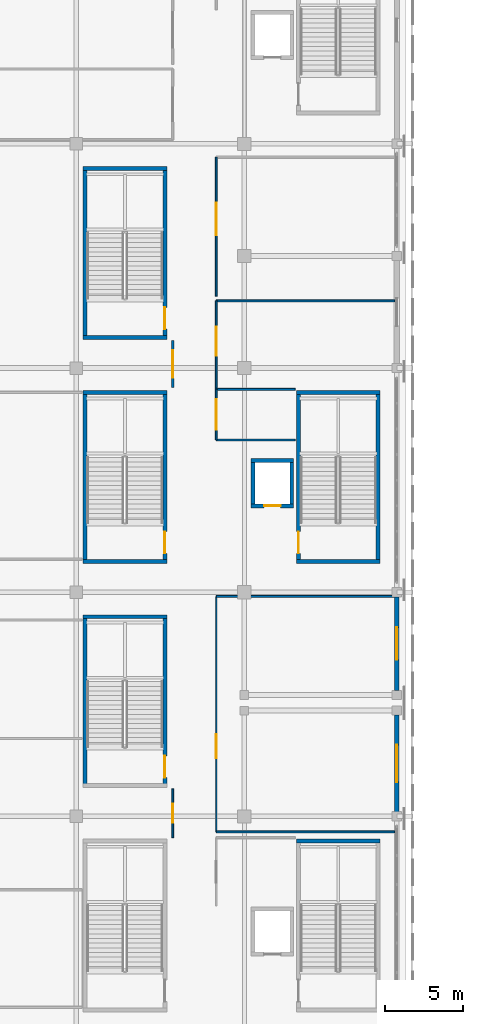
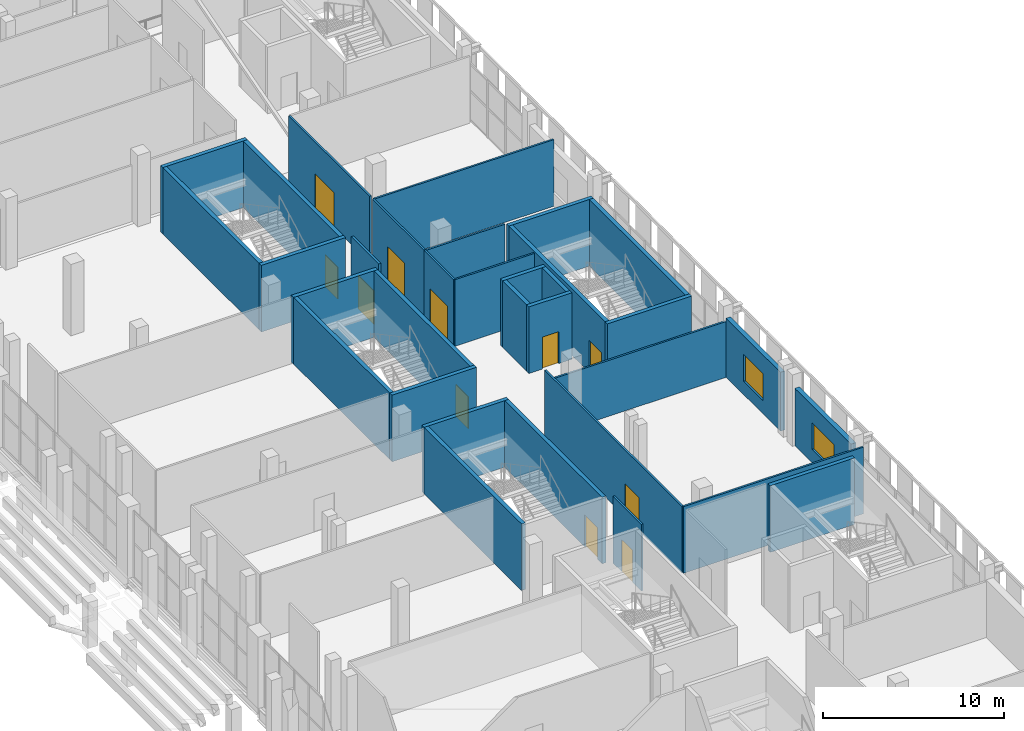
# One storey, part 100 of 142: 33 walls, 11 doors, 2 windows, 13 openings.
"""IFC4 building model written with IfcOpenShell, lengths in metres."""

from ifc_helpers import new_model, si_unit, direction, frame, frame_2d, origin, place, context, subcontext, project, spatial, rectangle, extrude, material, layer, layer_set, type_object, element, fill, save


model = new_model("IFC4")

# Units and contexts
model_context = context("Model", 3, precision=1e-05, world=origin(), true_north=direction((0.0, 1.0)))
body_context = subcontext(model_context, "Body", "Model", "MODEL_VIEW")
ifc_project = project(units=[si_unit("LENGTHUNIT", "METRE"), si_unit("AREAUNIT", "SQUARE_METRE"), si_unit("VOLUMEUNIT", "CUBIC_METRE"), si_unit("PLANEANGLEUNIT", "RADIAN"), si_unit("MASSUNIT", "GRAM", prefix="KILO")], contexts=[model_context])

# Site, building, storey
site_placement = place(None, origin())
site = spatial("IfcSite", under=ifc_project, at=site_placement, CompositionType="ELEMENT")
building_placement = place(site_placement, origin())
building = spatial("IfcBuilding", under=site, at=building_placement, Name="Koshinbarg Plaza Stadium", CompositionType="ELEMENT")
storey_placement = place(building_placement, frame((0.0, 0.0, 10.199951171875)))
storey = spatial("IfcBuildingStorey", under=building, at=storey_placement, Name="L02", CompositionType="ELEMENT", Elevation=10.199951171875)

# Walls
ifc_material_1 = material(Name="Concrete C40/50", Category="concrete")
ifc_layer_1 = layer(ifc_material_1, 0.25)
ifc_layer_set_1 = layer_set([ifc_layer_1], Name="Concrete C40/50")
wall_type_1 = type_object("IfcWallType", Name="WL-CORE-250", PredefinedType="SHEAR", material=ifc_layer_set_1)
for number, where, z_axis, x_axis, name in (
    (1, (217.320068359375, 67.125, 0.0), (0.0, 0.0, 1.0), (-1.0, 0.0, 0.0), "L02 core stair shear wall C08-far IWL-L02-0195"),
    (2, (211.949951171875, 85.074951171875, 0.0), (0.0, 0.0, 1.0), (1.0, 0.0, 0.0), "L02 core stair shear wall C09-near IWL-L02-0218"),
    (3, (217.320068359375, 95.925048828125, 0.0), (0.0, 0.0, 1.0), (-1.0, 0.0, 0.0), "L02 core stair shear wall C09-far IWL-L02-0219"),
):
    element("IfcWall", number, at=place(storey_placement, frame(where, z_axis=z_axis, x_axis=x_axis)), inside=storey, type_object=wall_type_1, Name=name, PredefinedType="SHEAR", context=body_context, shape_type="SweptSolid", body=[
        extrude(rectangle(XDim=5.3701171875, YDim=0.25, at=frame_2d((2.68505859375, 0.0))), origin(), (0.0, 0.0, 1.0), 4.47998046875),
    ])

# Wall, opening, door
wall_1_placement = place(storey_placement, frame((212.074951171875, 85.074951171875, 0.0), z_axis=(0.0, 0.0, 1.0), x_axis=(0.0, 1.0, 0.0)))
wall_1 = element("IfcWall", 4, at=wall_1_placement, inside=storey, type_object=wall_type_1, Name="L02 core stair shear wall C09-left IWL-L02-0220", PredefinedType="SHEAR", context=body_context, shape_type="SweptSolid", body=[
    extrude(rectangle(XDim=10.85009765625, YDim=0.25, at=frame_2d((5.425048828125, 0.0))), origin(), (0.0, 0.0, 1.0), 4.47998046875),
])
opening_1_placement = place(wall_1_placement, frame((0.52001953125, 0.0, 0.0)))
opening_1 = element("IfcOpeningElement", 5, at=opening_1_placement, cuts=wall_1, Name="Opening D-0117", PredefinedType="OPENING", context=body_context, shape_type="SweptSolid", body=[
    extrude(rectangle(XDim=1.39990234375, YDim=2.14990234375, at=frame_2d((0.699951171875, 1.074951171875))), frame((0.0, 0.135009765625, 0.0), z_axis=(0.0, -1.0, 0.0), x_axis=(1.0, 0.0, 0.0)), (0.0, 0.0, 1.0), 0.27001953125),
])
ifc_material_2 = material(Name="Painted galvanized steel fire door", Category="steel")
door_type_1 = type_object("IfcDoorType", Name="DR-STAIR-1400", OperationType="NOTDEFINED", PredefinedType="DOOR", material=ifc_material_2)
door_1_placement = place(opening_1_placement, frame((1.39990234375, 0.0, 0.0), z_axis=(0.0, 0.0, 1.0), x_axis=(-1.0, 0.0, 0.0)))
door_1 = element("IfcDoor", 6, at=door_1_placement, inside=storey, type_object=door_type_1, Name="L02 exit stair door C09", OperationType="SINGLE_SWING_RIGHT", OverallHeight=2.14990234375, OverallWidth=1.39990234375, PredefinedType="DOOR", context=body_context, shape_type="SweptSolid", body=[
    extrude(rectangle(XDim=1.39990234375, YDim=2.14990234375, at=frame_2d((0.699951171875, 1.074951171875))), frame((0.0, 0.02490234375, 0.0), z_axis=(0.0, -1.0, 0.0), x_axis=(1.0, 0.0, 0.0)), (0.0, 0.0, 1.0), 0.050048828125),
])
fill(opening_1, door_1)

# Walls
wall_2_placement = place(storey_placement, frame((217.195068359375, 85.074951171875, 0.0), z_axis=(0.0, 0.0, 1.0), x_axis=(0.0, 1.0, 0.0)))
element("IfcWall", 7, at=wall_2_placement, inside=storey, type_object=wall_type_1, Name="L02 core stair shear wall C09-right IWL-L02-0221", PredefinedType="SHEAR", context=body_context, shape_type="SweptSolid", body=[
    extrude(rectangle(XDim=10.85009765625, YDim=0.25, at=frame_2d((5.425048828125, 0.0))), origin(), (0.0, 0.0, 1.0), 4.47998046875),
])
wall_3_placement = place(storey_placement, frame((203.6201171875, 81.52490234375, 0.0), z_axis=(0.0, 0.0, 1.0), x_axis=(-1.0, 0.0, 0.0)))
element("IfcWall", 8, at=wall_3_placement, inside=storey, type_object=wall_type_1, Name="L02 vomitory stair shear wall VX10-far IWL-L02-0507", PredefinedType="SHEAR", context=body_context, shape_type="SweptSolid", body=[
    extrude(rectangle(XDim=5.3701171875, YDim=0.25, at=frame_2d((2.68505859375, 0.0))), origin(), (0.0, 0.0, 1.0), 4.47998046875),
])
wall_4_placement = place(storey_placement, frame((198.375, 70.675048828125, 0.0), z_axis=(0.0, 0.0, 1.0), x_axis=(0.0, 1.0, 0.0)))
element("IfcWall", 9, at=wall_4_placement, inside=storey, type_object=wall_type_1, Name="L02 vomitory stair shear wall VX10-left IWL-L02-0508", PredefinedType="SHEAR", context=body_context, shape_type="SweptSolid", body=[
    extrude(rectangle(XDim=10.849853515625, YDim=0.25, at=frame_2d((5.4248046875, 0.0))), origin(), (0.0, 0.0, 1.0), 4.47998046875),
])

# Wall, opening, door
wall_5_placement = place(storey_placement, frame((203.4951171875, 70.675048828125, 0.0), z_axis=(0.0, 0.0, 1.0), x_axis=(0.0, 1.0, 0.0)))
wall_5 = element("IfcWall", 10, at=wall_5_placement, inside=storey, type_object=wall_type_1, Name="L02 vomitory stair shear wall VX10-right IWL-L02-0509", PredefinedType="SHEAR", context=body_context, shape_type="SweptSolid", body=[
    extrude(rectangle(XDim=10.849853515625, YDim=0.25, at=frame_2d((5.4248046875, 0.0))), origin(), (0.0, 0.0, 1.0), 4.47998046875),
])
opening_2_placement = place(wall_5_placement, frame((0.52001953125, 0.0, 0.0)))
opening_2 = element("IfcOpeningElement", 11, at=opening_2_placement, cuts=wall_5, Name="Opening D-0189", PredefinedType="OPENING", context=body_context, shape_type="SweptSolid", body=[
    extrude(rectangle(XDim=1.39990234375, YDim=2.14990234375, at=frame_2d((0.699951171875, 1.074951171875))), frame((0.0, 0.135009765625, 0.0), z_axis=(0.0, -1.0, 0.0), x_axis=(1.0, 0.0, 0.0)), (0.0, 0.0, 1.0), 0.27001953125),
])
door_2_placement = place(opening_2_placement, origin())
door_2 = element("IfcDoor", 12, at=door_2_placement, inside=storey, type_object=door_type_1, Name="L02 vomitory exit stair door VX10", OperationType="SINGLE_SWING_LEFT", OverallHeight=2.14990234375, OverallWidth=1.39990234375, PredefinedType="DOOR", context=body_context, shape_type="SweptSolid", body=[
    extrude(rectangle(XDim=1.39990234375, YDim=2.14990234375, at=frame_2d((0.699951171875, 1.074951171875))), frame((0.0, 0.02490234375, 0.0), z_axis=(0.0, -1.0, 0.0), x_axis=(1.0, 0.0, 0.0)), (0.0, 0.0, 1.0), 0.050048828125),
])
fill(opening_2, door_2)

# Walls
for number, where, z_axis, x_axis, name in (
    (13, (198.25, 85.074951171875, 0.0), (0.0, 0.0, 1.0), (1.0, 0.0, 0.0), "L02 vomitory stair shear wall VX11-near IWL-L02-0522"),
    (14, (203.6201171875, 95.925048828125, 0.0), (0.0, 0.0, 1.0), (-1.0, 0.0, 0.0), "L02 vomitory stair shear wall VX11-far IWL-L02-0523"),
):
    element("IfcWall", number, at=place(storey_placement, frame(where, z_axis=z_axis, x_axis=x_axis)), inside=storey, type_object=wall_type_1, Name=name, PredefinedType="SHEAR", context=body_context, shape_type="SweptSolid", body=[
        extrude(rectangle(XDim=5.3701171875, YDim=0.25, at=frame_2d((2.68505859375, 0.0))), origin(), (0.0, 0.0, 1.0), 4.47998046875),
    ])
wall_6_placement = place(storey_placement, frame((198.375, 85.074951171875, 0.0), z_axis=(0.0, 0.0, 1.0), x_axis=(0.0, 1.0, 0.0)))
element("IfcWall", 15, at=wall_6_placement, inside=storey, type_object=wall_type_1, Name="L02 vomitory stair shear wall VX11-left IWL-L02-0524", PredefinedType="SHEAR", context=body_context, shape_type="SweptSolid", body=[
    extrude(rectangle(XDim=10.85009765625, YDim=0.25, at=frame_2d((5.425048828125, 0.0))), origin(), (0.0, 0.0, 1.0), 4.47998046875),
])

# Wall, opening, door
wall_7_placement = place(storey_placement, frame((203.4951171875, 85.074951171875, 0.0), z_axis=(0.0, 0.0, 1.0), x_axis=(0.0, 1.0, 0.0)))
wall_7 = element("IfcWall", 16, at=wall_7_placement, inside=storey, type_object=wall_type_1, Name="L02 vomitory stair shear wall VX11-right IWL-L02-0525", PredefinedType="SHEAR", context=body_context, shape_type="SweptSolid", body=[
    extrude(rectangle(XDim=10.85009765625, YDim=0.25, at=frame_2d((5.425048828125, 0.0))), origin(), (0.0, 0.0, 1.0), 4.47998046875),
])
opening_3_placement = place(wall_7_placement, frame((0.52001953125, 0.0, 0.0)))
opening_3 = element("IfcOpeningElement", 17, at=opening_3_placement, cuts=wall_7, Name="Opening D-0193", PredefinedType="OPENING", context=body_context, shape_type="SweptSolid", body=[
    extrude(rectangle(XDim=1.39990234375, YDim=2.14990234375, at=frame_2d((0.699951171875, 1.074951171875))), frame((0.0, 0.135009765625, 0.0), z_axis=(0.0, -1.0, 0.0), x_axis=(1.0, 0.0, 0.0)), (0.0, 0.0, 1.0), 0.27001953125),
])
door_3_placement = place(opening_3_placement, origin())
door_3 = element("IfcDoor", 18, at=door_3_placement, inside=storey, type_object=door_type_1, Name="L02 vomitory exit stair door VX11", OperationType="SINGLE_SWING_RIGHT", OverallHeight=2.14990234375, OverallWidth=1.39990234375, PredefinedType="DOOR", context=body_context, shape_type="SweptSolid", body=[
    extrude(rectangle(XDim=1.39990234375, YDim=2.14990234375, at=frame_2d((0.699951171875, 1.074951171875))), frame((0.0, 0.02490234375, 0.0), z_axis=(0.0, -1.0, 0.0), x_axis=(1.0, 0.0, 0.0)), (0.0, 0.0, 1.0), 0.050048828125),
])
fill(opening_3, door_3)

# Walls
for number, where, z_axis, x_axis, name in (
    (19, (198.25, 99.47509765625, 0.0), (0.0, 0.0, 1.0), (1.0, 0.0, 0.0), "L02 vomitory stair shear wall VX12-near IWL-L02-0538"),
    (20, (203.6201171875, 110.324951171875, 0.0), (0.0, 0.0, 1.0), (-1.0, 0.0, 0.0), "L02 vomitory stair shear wall VX12-far IWL-L02-0539"),
):
    element("IfcWall", number, at=place(storey_placement, frame(where, z_axis=z_axis, x_axis=x_axis)), inside=storey, type_object=wall_type_1, Name=name, PredefinedType="SHEAR", context=body_context, shape_type="SweptSolid", body=[
        extrude(rectangle(XDim=5.3701171875, YDim=0.25, at=frame_2d((2.68505859375, 0.0))), origin(), (0.0, 0.0, 1.0), 4.47998046875),
    ])
wall_8_placement = place(storey_placement, frame((198.375, 99.47509765625, 0.0), z_axis=(0.0, 0.0, 1.0), x_axis=(0.0, 1.0, 0.0)))
element("IfcWall", 21, at=wall_8_placement, inside=storey, type_object=wall_type_1, Name="L02 vomitory stair shear wall VX12-left IWL-L02-0540", PredefinedType="SHEAR", context=body_context, shape_type="SweptSolid", body=[
    extrude(rectangle(XDim=10.849853515625, YDim=0.25, at=frame_2d((5.4248046875, 0.0))), origin(), (0.0, 0.0, 1.0), 4.47998046875),
])

# Wall, opening, door
wall_9_placement = place(storey_placement, frame((203.4951171875, 99.47509765625, 0.0), z_axis=(0.0, 0.0, 1.0), x_axis=(0.0, 1.0, 0.0)))
wall_9 = element("IfcWall", 22, at=wall_9_placement, inside=storey, type_object=wall_type_1, Name="L02 vomitory stair shear wall VX12-right IWL-L02-0541", PredefinedType="SHEAR", context=body_context, shape_type="SweptSolid", body=[
    extrude(rectangle(XDim=10.849853515625, YDim=0.25, at=frame_2d((5.4248046875, 0.0))), origin(), (0.0, 0.0, 1.0), 4.47998046875),
])
opening_4_placement = place(wall_9_placement, frame((0.52001953125, 0.0, 0.0)))
opening_4 = element("IfcOpeningElement", 23, at=opening_4_placement, cuts=wall_9, Name="Opening D-0197", PredefinedType="OPENING", context=body_context, shape_type="SweptSolid", body=[
    extrude(rectangle(XDim=1.39990234375, YDim=2.14990234375, at=frame_2d((0.699951171875, 1.074951171875))), frame((0.0, 0.135009765625, 0.0), z_axis=(0.0, -1.0, 0.0), x_axis=(1.0, 0.0, 0.0)), (0.0, 0.0, 1.0), 0.27001953125),
])
door_4_placement = place(opening_4_placement, origin())
door_4 = element("IfcDoor", 24, at=door_4_placement, inside=storey, type_object=door_type_1, Name="L02 vomitory exit stair door VX12", OperationType="SINGLE_SWING_LEFT", OverallHeight=2.14990234375, OverallWidth=1.39990234375, PredefinedType="DOOR", context=body_context, shape_type="SweptSolid", body=[
    extrude(rectangle(XDim=1.39990234375, YDim=2.14990234375, at=frame_2d((0.699951171875, 1.074951171875))), frame((0.0, 0.02490234375, 0.0), z_axis=(0.0, -1.0, 0.0), x_axis=(1.0, 0.0, 0.0)), (0.0, 0.0, 1.0), 0.050048828125),
])
fill(opening_4, door_4)

wall_10_placement = place(storey_placement, frame((209.02490234375, 88.64990234375, 0.0), z_axis=(0.0, 0.0, 1.0), x_axis=(1.0, 0.0, 0.0)))
wall_10 = element("IfcWall", 25, at=wall_10_placement, inside=storey, type_object=wall_type_1, Name="L02 lift shaft shear wall LP05-S IWL-L02-0918", PredefinedType="SHEAR", context=body_context, shape_type="SweptSolid", body=[
    extrude(rectangle(XDim=2.75, YDim=0.25, at=frame_2d((1.375, 0.0))), origin(), (0.0, 0.0, 1.0), 4.47998046875),
])
opening_5_placement = place(wall_10_placement, frame((0.85009765625, 0.0, 0.0)))
opening_5 = element("IfcOpeningElement", 26, at=opening_5_placement, cuts=wall_10, Name="Opening D-0299", PredefinedType="OPENING", context=body_context, shape_type="SweptSolid", body=[
    extrude(rectangle(XDim=1.050048828125, YDim=2.14990234375, at=frame_2d((0.52490234375, 1.074951171875))), frame((0.0, 0.135009765625, 0.0), z_axis=(0.0, -1.0, 0.0), x_axis=(1.0, 0.0, 0.0)), (0.0, 0.0, 1.0), 0.27001953125),
])
ifc_material_3 = material(Name="Brushed stainless steel sliding lift landing door", Category="steel")
door_type_2 = type_object("IfcDoorType", Name="DR-LIFT-1050", OperationType="NOTDEFINED", PredefinedType="DOOR", material=ifc_material_3)
door_5_placement = place(opening_5_placement, origin())
door_5 = element("IfcDoor", 27, at=door_5_placement, inside=storey, type_object=door_type_2, Name="L02 lift landing door LP05", OperationType="SLIDING_TO_RIGHT", OverallHeight=2.14990234375, OverallWidth=1.050048828125, PredefinedType="DOOR", context=body_context, shape_type="SweptSolid", body=[
    extrude(rectangle(XDim=1.050048828125, YDim=2.14990234375, at=frame_2d((0.52490234375, 1.074951171875))), frame((0.0, 0.02490234375, 0.0), z_axis=(0.0, -1.0, 0.0), x_axis=(1.0, 0.0, 0.0)), (0.0, 0.0, 1.0), 0.050048828125),
])
fill(opening_5, door_5)

# Walls
wall_11_placement = place(storey_placement, frame((211.77490234375, 91.550048828125, 0.0), z_axis=(0.0, 0.0, 1.0), x_axis=(-1.0, 0.0, 0.0)))
element("IfcWall", 28, at=wall_11_placement, inside=storey, type_object=wall_type_1, Name="L02 lift shaft shear wall LP05-N IWL-L02-0919", PredefinedType="SHEAR", context=body_context, shape_type="SweptSolid", body=[
    extrude(rectangle(XDim=2.75, YDim=0.25, at=frame_2d((1.375, 0.0))), origin(), (0.0, 0.0, 1.0), 4.47998046875),
])
for number, where, z_axis, x_axis, name in (
    (29, (209.14990234375, 91.550048828125, 0.0), (0.0, 0.0, 1.0), (0.0, -1.0, 0.0), "L02 lift shaft shear wall LP05-W IWL-L02-0920"),
    (30, (211.64990234375, 88.64990234375, 0.0), (0.0, 0.0, 1.0), (0.0, 1.0, 0.0), "L02 lift shaft shear wall LP05-E IWL-L02-0921"),
):
    element("IfcWall", number, at=place(storey_placement, frame(where, z_axis=z_axis, x_axis=x_axis)), inside=storey, type_object=wall_type_1, Name=name, PredefinedType="SHEAR", context=body_context, shape_type="SweptSolid", body=[
        extrude(rectangle(XDim=2.900146484375, YDim=0.25, at=frame_2d((1.4501953125, 0.0))), origin(), (0.0, 0.0, 1.0), 4.47998046875),
    ])

# Wall, opening, window
ifc_material_4 = material(Name="Terracotta-ochre mineral plaster insulated wall", Category="masonry")
ifc_layer_2 = layer(ifc_material_4, 0.280029296875)
ifc_layer_set_2 = layer_set([ifc_layer_2], Name="Terracotta-ochre mineral plaster insulated wall")
wall_type_2 = type_object("IfcWallType", Name="WL-EXT-280", PredefinedType="SOLIDWALL", material=ifc_layer_set_2)
wall_12_placement = place(storey_placement, frame((218.39990234375, 82.804931640625, 0.0), z_axis=(0.0, 0.0, 1.0), x_axis=(0.0, -1.0, 0.0)))
wall_12 = element("IfcWall", 31, at=wall_12_placement, inside=storey, type_object=wall_type_2, Name="L02 exterior envelope wall EWL-L02-0128", PredefinedType="SOLIDWALL", context=body_context, shape_type="SweptSolid", body=[
    extrude(rectangle(XDim=6.010009765625, YDim=0.280029296875, at=frame_2d((3.0048828125, 0.0))), origin(), (0.0, 0.0, 1.0), 3.9599609375),
])
opening_6_placement = place(wall_12_placement, frame((1.955078125, 0.0, 0.89990234375)))
opening_6 = element("IfcOpeningElement", 32, at=opening_6_placement, cuts=wall_12, Name="Opening WN10", PredefinedType="OPENING", context=body_context, shape_type="SweptSolid", body=[
    extrude(rectangle(XDim=2.10009765625, YDim=1.800048828125, at=frame_2d((1.050048828125, 0.89990234375))), frame((0.0, 0.14990234375, 0.0), z_axis=(0.0, -1.0, 0.0), x_axis=(1.0, 0.0, 0.0)), (0.0, 0.0, 1.0), 0.300048828125),
])
ifc_material_5 = material(Name="Solar-control double glazing in thermally broken aluminium frame", Category="aluminium")
window_type_1 = type_object("IfcWindowType", Name="WN-FAC-10", PartitioningType="DOUBLE_PANEL_VERTICAL", PredefinedType="WINDOW", material=ifc_material_5)
window_1_placement = place(opening_6_placement, origin())
window_1 = element("IfcWindow", 33, at=window_1_placement, inside=storey, type_object=window_type_1, Name="L02 facade window 0065", OverallHeight=1.800048828125, OverallWidth=2.10009765625, PartitioningType="SINGLE_PANEL", PredefinedType="WINDOW", context=body_context, shape_type="SweptSolid", body=[
    extrude(rectangle(XDim=2.10009765625, YDim=1.800048828125, at=frame_2d((1.050048828125, 0.89990234375))), frame((0.0, 0.030029296875, 0.0), z_axis=(0.0, -1.0, 0.0), x_axis=(1.0, 0.0, 0.0)), (0.0, 0.0, 1.0), 0.06005859375),
])
fill(opening_6, window_1)

ifc_material_6 = material(Name="Off-white mineral plaster insulated wall", Category="masonry")
ifc_layer_3 = layer(ifc_material_6, 0.300048828125)
ifc_layer_set_3 = layer_set([ifc_layer_3], Name="Off-white mineral plaster insulated wall")
wall_type_3 = type_object("IfcWallType", Name="WL-EXT-300", PredefinedType="SOLIDWALL", material=ifc_layer_set_3)
wall_13_placement = place(storey_placement, frame((218.39990234375, 75.205078125, 0.0), z_axis=(0.0, 0.0, 1.0), x_axis=(0.0, -1.0, 0.0)))
wall_13 = element("IfcWall", 34, at=wall_13_placement, inside=storey, type_object=wall_type_3, Name="L02 exterior envelope wall EWL-L02-0129", PredefinedType="SOLIDWALL", context=body_context, shape_type="SweptSolid", body=[
    extrude(rectangle(XDim=6.2099609375, YDim=0.300048828125, at=frame_2d((3.10498046875, 0.0))), origin(), (0.0, 0.0, 1.0), 3.860107421875),
])
opening_7_placement = place(wall_13_placement, frame((1.905029296875, 0.0, 0.89990234375)))
opening_7 = element("IfcOpeningElement", 35, at=opening_7_placement, cuts=wall_13, Name="Opening WN11", PredefinedType="OPENING", context=body_context, shape_type="SweptSolid", body=[
    extrude(rectangle(XDim=2.39990234375, YDim=1.800048828125, at=frame_2d((1.199951171875, 0.89990234375))), frame((0.0, 0.159912109375, 0.0), z_axis=(0.0, -1.0, 0.0), x_axis=(1.0, 0.0, 0.0)), (0.0, 0.0, 1.0), 0.320068359375),
])
window_type_2 = type_object("IfcWindowType", Name="WN-FAC-11", PartitioningType="DOUBLE_PANEL_VERTICAL", PredefinedType="WINDOW", material=ifc_material_5)
window_2_placement = place(opening_7_placement, origin())
window_2 = element("IfcWindow", 36, at=window_2_placement, inside=storey, type_object=window_type_2, Name="L02 facade window 0066", OverallHeight=1.800048828125, OverallWidth=2.39990234375, PartitioningType="SINGLE_PANEL", PredefinedType="WINDOW", context=body_context, shape_type="SweptSolid", body=[
    extrude(rectangle(XDim=2.39990234375, YDim=1.800048828125, at=frame_2d((1.199951171875, 0.89990234375))), frame((0.0, 0.030029296875, 0.0), z_axis=(0.0, -1.0, 0.0), x_axis=(1.0, 0.0, 0.0)), (0.0, 0.0, 1.0), 0.06005859375),
])
fill(opening_7, window_2)

# Wall, opening, door
ifc_material_7 = material(Name="Gypsum board metal-stud acoustic partition")
ifc_layer_4 = layer(ifc_material_7, 0.1201171875)
ifc_layer_set_4 = layer_set([ifc_layer_4], Name="Gypsum board metal-stud acoustic partition")
wall_type_4 = type_object("IfcWallType", Name="WL-PART-120", PredefinedType="PARTITIONING", material=ifc_layer_set_4)
wall_14_placement = place(storey_placement, frame((204.0, 67.330078125, 0.0), z_axis=(0.0, 0.0, 1.0), x_axis=(0.0, 1.0, 0.0)))
wall_14 = element("IfcWall", 37, at=wall_14_placement, inside=storey, type_object=wall_type_4, Name="L02 interior partition L02-90-east IWL-L02-1706", PredefinedType="PARTITIONING", context=body_context, shape_type="SweptSolid", body=[
    extrude(rectangle(XDim=3.139892578125, YDim=0.1201171875, at=frame_2d((1.56982421875, 0.0))), origin(), (0.0, 0.0, 1.0), 4.47998046875),
])
opening_8_placement = place(wall_14_placement, frame((0.969970703125, 0.0, 0.0)))
opening_8 = element("IfcOpeningElement", 38, at=opening_8_placement, cuts=wall_14, Name="Opening D-0577", PredefinedType="OPENING", context=body_context, shape_type="SweptSolid", body=[
    extrude(rectangle(XDim=1.199951171875, YDim=2.14990234375, at=frame_2d((0.60009765625, 1.074951171875))), frame((0.0, 0.070068359375, 0.0), z_axis=(0.0, -1.0, 0.0), x_axis=(1.0, 0.0, 0.0)), (0.0, 0.0, 1.0), 0.14013671875),
])
ifc_material_8 = material(Name="Solid-core hardwood leaf in painted steel frame", Category="steel")
door_type_3 = type_object("IfcDoorType", Name="DR-INT-1200x2150", OperationType="NOTDEFINED", PredefinedType="DOOR", material=ifc_material_8)
door_6_placement = place(opening_8_placement, origin())
door_6 = element("IfcDoor", 39, at=door_6_placement, inside=storey, type_object=door_type_3, Name="L02 East Catering Kitchen door D-0577", OperationType="SINGLE_SWING_LEFT", OverallHeight=2.14990234375, OverallWidth=1.199951171875, PredefinedType="DOOR", context=body_context, shape_type="SweptSolid", body=[
    extrude(rectangle(XDim=1.199951171875, YDim=2.14990234375, at=frame_2d((0.60009765625, 1.074951171875))), frame((0.0, 0.02490234375, 0.0), z_axis=(0.0, -1.0, 0.0), x_axis=(1.0, 0.0, 0.0)), (0.0, 0.0, 1.0), 0.050048828125),
])
fill(opening_8, door_6)

# Walls
wall_15_placement = place(storey_placement, frame((206.800048828125, 67.70751953125, 0.0), z_axis=(0.0, 0.0, 1.0), x_axis=(1.0, 0.0, 0.0)))
element("IfcWall", 40, at=wall_15_placement, inside=storey, type_object=wall_type_4, Name="L02 interior partition L02-93-south IWL-L02-1713", PredefinedType="PARTITIONING", context=body_context, shape_type="SweptSolid", body=[
    extrude(rectangle(XDim=11.454833984375, YDim=0.1201171875, at=frame_2d((5.7275390625, 0.0))), origin(), (0.0, 0.0, 1.0), 4.47998046875),
])
wall_16_placement = place(storey_placement, frame((218.2548828125, 82.830078125, 0.0), z_axis=(0.0, 0.0, 1.0), x_axis=(-1.0, 0.0, 0.0)))
element("IfcWall", 41, at=wall_16_placement, inside=storey, type_object=wall_type_4, Name="L02 interior partition L02-93-north IWL-L02-1714", PredefinedType="PARTITIONING", context=body_context, shape_type="SweptSolid", body=[
    extrude(rectangle(XDim=11.454833984375, YDim=0.1201171875, at=frame_2d((5.7275390625, 0.0))), origin(), (0.0, 0.0, 1.0), 3.760009765625),
])

# Wall, opening, door
wall_17_placement = place(storey_placement, frame((206.800048828125, 82.830078125, 0.0), z_axis=(0.0, 0.0, 1.0), x_axis=(0.0, -1.0, 0.0)))
wall_17 = element("IfcWall", 42, at=wall_17_placement, inside=storey, type_object=wall_type_4, Name="L02 interior partition L02-93-west IWL-L02-1715", PredefinedType="PARTITIONING", context=body_context, shape_type="SweptSolid", body=[
    extrude(rectangle(XDim=15.12255859375, YDim=0.1201171875, at=frame_2d((7.561279296875, 0.0))), origin(), (0.0, 0.0, 1.0), 4.47998046875),
])
opening_9_placement = place(wall_17_placement, frame((8.845703125, 0.0, 0.0)))
opening_9 = element("IfcOpeningElement", 43, at=opening_9_placement, cuts=wall_17, Name="Opening D-0580", PredefinedType="OPENING", context=body_context, shape_type="SweptSolid", body=[
    extrude(rectangle(XDim=1.550048828125, YDim=2.199951171875, at=frame_2d((0.77490234375, 1.10009765625))), frame((0.0, 0.070068359375, 0.0), z_axis=(0.0, -1.0, 0.0), x_axis=(1.0, 0.0, 0.0)), (0.0, 0.0, 1.0), 0.14013671875),
])
ifc_material_9 = material(Name="Toughened laminated glass in aluminium frame", Category="aluminium")
door_type_4 = type_object("IfcDoorType", Name="DR-INT-1550x2200", OperationType="NOTDEFINED", PredefinedType="DOOR", material=ifc_material_9)
door_7_placement = place(opening_9_placement, origin())
door_7 = element("IfcDoor", 44, at=door_7_placement, inside=storey, type_object=door_type_4, Name="L02 East Club Concourse door D-0580", OperationType="DOUBLE_DOOR_SINGLE_SWING", OverallHeight=2.199951171875, OverallWidth=1.550048828125, PredefinedType="DOOR", context=body_context, shape_type="SweptSolid", body=[
    extrude(rectangle(XDim=1.550048828125, YDim=2.199951171875, at=frame_2d((0.77490234375, 1.10009765625))), frame((0.0, 0.02490234375, 0.0), z_axis=(0.0, -1.0, 0.0), x_axis=(1.0, 0.0, 0.0)), (0.0, 0.0, 1.0), 0.050048828125),
])
fill(opening_9, door_7)

# Wall
wall_18_placement = place(storey_placement, frame((218.2548828125, 101.816650390625, 0.0), z_axis=(0.0, 0.0, 1.0), x_axis=(-1.0, 0.0, 0.0)))
element("IfcWall", 45, at=wall_18_placement, inside=storey, type_object=wall_type_4, Name="L02 interior partition L02-96-north IWL-L02-1721", PredefinedType="PARTITIONING", context=body_context, shape_type="SweptSolid", body=[
    extrude(rectangle(XDim=11.454833984375, YDim=0.1201171875, at=frame_2d((5.7275390625, 0.0))), origin(), (0.0, 0.0, 1.0), 4.47998046875),
])

# Wall, opening, door
wall_19_placement = place(storey_placement, frame((206.800048828125, 101.816650390625, 0.0), z_axis=(0.0, 0.0, 1.0), x_axis=(0.0, -1.0, 0.0)))
wall_19 = element("IfcWall", 46, at=wall_19_placement, inside=storey, type_object=wall_type_4, Name="L02 interior partition L02-96-west IWL-L02-1722", PredefinedType="PARTITIONING", context=body_context, shape_type="SweptSolid", body=[
    extrude(rectangle(XDim=5.686767578125, YDim=0.1201171875, at=frame_2d((2.84326171875, 0.0))), origin(), (0.0, 0.0, 1.0), 4.47998046875),
])
opening_10_placement = place(wall_19_placement, frame((1.6630859375, 0.0, 0.0)))
opening_10 = element("IfcOpeningElement", 47, at=opening_10_placement, cuts=wall_19, Name="Opening D-0583", PredefinedType="OPENING", context=body_context, shape_type="SweptSolid", body=[
    extrude(rectangle(XDim=1.860107421875, YDim=2.300048828125, at=frame_2d((0.93017578125, 1.14990234375))), frame((0.0, 0.070068359375, 0.0), z_axis=(0.0, -1.0, 0.0), x_axis=(1.0, 0.0, 0.0)), (0.0, 0.0, 1.0), 0.14013671875),
])
ifc_material_10 = material(Name="Acoustic solid-core walnut veneer fire door")
door_type_5 = type_object("IfcDoorType", Name="DR-INT-1860x2300", OperationType="NOTDEFINED", PredefinedType="DOOR", material=ifc_material_10)
door_8_placement = place(opening_10_placement, origin())
door_8 = element("IfcDoor", 48, at=door_8_placement, inside=storey, type_object=door_type_5, Name="L02 Supporters' Banquet Lounge door D-0583", OperationType="DOUBLE_DOOR_SINGLE_SWING", OverallHeight=2.300048828125, OverallWidth=1.860107421875, PredefinedType="DOOR", context=body_context, shape_type="SweptSolid", body=[
    extrude(rectangle(XDim=1.860107421875, YDim=2.300048828125, at=frame_2d((0.93017578125, 1.14990234375))), frame((0.0, 0.02490234375, 0.0), z_axis=(0.0, -1.0, 0.0), x_axis=(1.0, 0.0, 0.0)), (0.0, 0.0, 1.0), 0.050048828125),
])
fill(opening_10, door_8)

# Walls
for number, where, z_axis, x_axis, name in (
    (49, (206.800048828125, 92.88330078125, 0.0), (0.0, 0.0, 1.0), (1.0, 0.0, 0.0), "L02 interior partition L02-97-south IWL-L02-1723"),
    (50, (211.8701171875, 96.1298828125, 0.0), (0.0, 0.0, 1.0), (-1.0, 0.0, 0.0), "L02 interior partition L02-97-north IWL-L02-1724"),
):
    element("IfcWall", number, at=place(storey_placement, frame(where, z_axis=z_axis, x_axis=x_axis)), inside=storey, type_object=wall_type_4, Name=name, PredefinedType="PARTITIONING", context=body_context, shape_type="SweptSolid", body=[
        extrude(rectangle(XDim=5.070068359375, YDim=0.1201171875, at=frame_2d((2.53515625, 0.0))), origin(), (0.0, 0.0, 1.0), 4.47998046875),
    ])

# Wall, opening, door
wall_20_placement = place(storey_placement, frame((206.800048828125, 96.1298828125, 0.0), z_axis=(0.0, 0.0, 1.0), x_axis=(0.0, -1.0, 0.0)))
wall_20 = element("IfcWall", 51, at=wall_20_placement, inside=storey, type_object=wall_type_4, Name="L02 interior partition L02-97-west IWL-L02-1725", PredefinedType="PARTITIONING", context=body_context, shape_type="SweptSolid", body=[
    extrude(rectangle(XDim=3.24658203125, YDim=0.1201171875, at=frame_2d((1.623291015625, 0.0))), origin(), (0.0, 0.0, 1.0), 4.47998046875),
])
opening_11_placement = place(wall_20_placement, frame((0.643310546875, 0.0, 0.0)))
opening_11 = element("IfcOpeningElement", 52, at=opening_11_placement, cuts=wall_20, Name="Opening D-0584", PredefinedType="OPENING", context=body_context, shape_type="SweptSolid", body=[
    extrude(rectangle(XDim=1.9599609375, YDim=2.300048828125, at=frame_2d((0.97998046875, 1.14990234375))), frame((0.0, 0.070068359375, 0.0), z_axis=(0.0, -1.0, 0.0), x_axis=(1.0, 0.0, 0.0)), (0.0, 0.0, 1.0), 0.14013671875),
])
ifc_material_11 = material(Name="Bronze-anodised aluminium glazed double door", Category="aluminium")
door_type_6 = type_object("IfcDoorType", Name="DR-INT-1960x2300", OperationType="NOTDEFINED", PredefinedType="DOOR", material=ifc_material_11)
door_9_placement = place(opening_11_placement, origin())
door_9 = element("IfcDoor", 53, at=door_9_placement, inside=storey, type_object=door_type_6, Name="L02 East Catering Kitchen door D-0584", OperationType="DOUBLE_DOOR_SINGLE_SWING", OverallHeight=2.300048828125, OverallWidth=1.9599609375, PredefinedType="DOOR", context=body_context, shape_type="SweptSolid", body=[
    extrude(rectangle(XDim=1.9599609375, YDim=2.300048828125, at=frame_2d((0.97998046875, 1.14990234375))), frame((0.0, 0.02490234375, 0.0), z_axis=(0.0, -1.0, 0.0), x_axis=(1.0, 0.0, 0.0)), (0.0, 0.0, 1.0), 0.050048828125),
])
fill(opening_11, door_9)

wall_21_placement = place(storey_placement, frame((206.800048828125, 111.050048828125, 0.0), z_axis=(0.0, 0.0, 1.0), x_axis=(0.0, -1.0, 0.0)))
wall_21 = element("IfcWall", 54, at=wall_21_placement, inside=storey, type_object=wall_type_4, Name="L02 interior partition L02-98-west IWL-L02-1727", PredefinedType="PARTITIONING", context=body_context, shape_type="SweptSolid", body=[
    extrude(rectangle(XDim=8.933349609375, YDim=0.1201171875, at=frame_2d((4.466796875, 0.0))), origin(), (0.0, 0.0, 1.0), 4.47998046875),
])
opening_12_placement = place(wall_21_placement, frame((2.934326171875, 0.0, 0.0)))
opening_12 = element("IfcOpeningElement", 55, at=opening_12_placement, cuts=wall_21, Name="Opening D-0585", PredefinedType="OPENING", context=body_context, shape_type="SweptSolid", body=[
    extrude(rectangle(XDim=2.080078125, YDim=2.35009765625, at=frame_2d((1.0400390625, 1.175048828125))), frame((0.0, 0.070068359375, 0.0), z_axis=(0.0, -1.0, 0.0), x_axis=(1.0, 0.0, 0.0)), (0.0, 0.0, 1.0), 0.14013671875),
])
ifc_material_12 = material(Name="Laminated safety glass aluminium vestibule door", Category="aluminium")
door_type_7 = type_object("IfcDoorType", Name="DR-INT-2080x2350", OperationType="NOTDEFINED", PredefinedType="DOOR", material=ifc_material_12)
door_10_placement = place(opening_12_placement, origin())
door_10 = element("IfcDoor", 56, at=door_10_placement, inside=storey, type_object=door_type_7, Name="L02 East Catering Kitchen door D-0585", OperationType="DOUBLE_DOOR_SINGLE_SWING", OverallHeight=2.35009765625, OverallWidth=2.080078125, PredefinedType="DOOR", context=body_context, shape_type="SweptSolid", body=[
    extrude(rectangle(XDim=2.080078125, YDim=2.35009765625, at=frame_2d((1.0400390625, 1.175048828125))), frame((0.0, 0.02490234375, 0.0), z_axis=(0.0, -1.0, 0.0), x_axis=(1.0, 0.0, 0.0)), (0.0, 0.0, 1.0), 0.050048828125),
])
fill(opening_12, door_10)

ifc_material_13 = material(Name="Double-layer gypsum acoustic suite partition")
ifc_layer_5 = layer(ifc_material_13, 0.14990234375)
ifc_layer_set_5 = layer_set([ifc_layer_5], Name="Double-layer gypsum acoustic suite partition")
wall_type_5 = type_object("IfcWallType", Name="WL-PART-150", PredefinedType="PARTITIONING", material=ifc_layer_set_5)
wall_22_placement = place(storey_placement, frame((204.0, 96.24072265625, 0.0), z_axis=(0.0, 0.0, 1.0), x_axis=(0.0, 1.0, 0.0)))
wall_22 = element("IfcWall", 57, at=wall_22_placement, inside=storey, type_object=wall_type_5, Name="L02 interior partition L02-95-east IWL-L02-1719", PredefinedType="PARTITIONING", context=body_context, shape_type="SweptSolid", body=[
    extrude(rectangle(XDim=3.029296875, YDim=0.14990234375, at=frame_2d((1.5146484375, 0.0))), origin(), (0.0, 0.0, 1.0), 4.47998046875),
])
opening_13_placement = place(wall_22_placement, frame((0.634521484375, 0.0, 0.0)))
opening_13 = element("IfcOpeningElement", 58, at=opening_13_placement, cuts=wall_22, Name="Opening D-0582", PredefinedType="OPENING", context=body_context, shape_type="SweptSolid", body=[
    extrude(rectangle(XDim=1.760009765625, YDim=2.25, at=frame_2d((0.8798828125, 1.125))), frame((0.0, 0.0849609375, 0.0), z_axis=(0.0, -1.0, 0.0), x_axis=(1.0, 0.0, 0.0)), (0.0, 0.0, 1.0), 0.169921875),
])
ifc_material_14 = material(Name="Solid-core oak veneer double swing door")
door_type_8 = type_object("IfcDoorType", Name="DR-INT-1760x2250", OperationType="NOTDEFINED", PredefinedType="DOOR", material=ifc_material_14)
door_11_placement = place(opening_13_placement, origin())
door_11 = element("IfcDoor", 59, at=door_11_placement, inside=storey, type_object=door_type_8, Name="L02 East Hospitality Suite door D-0582", OperationType="DOUBLE_DOOR_SINGLE_SWING", OverallHeight=2.25, OverallWidth=1.760009765625, PredefinedType="DOOR", context=body_context, shape_type="SweptSolid", body=[
    extrude(rectangle(XDim=1.760009765625, YDim=2.25, at=frame_2d((0.8798828125, 1.125))), frame((0.0, 0.02490234375, 0.0), z_axis=(0.0, -1.0, 0.0), x_axis=(1.0, 0.0, 0.0)), (0.0, 0.0, 1.0), 0.050048828125),
])
fill(opening_13, door_11)

save(model, "model.ifc")
